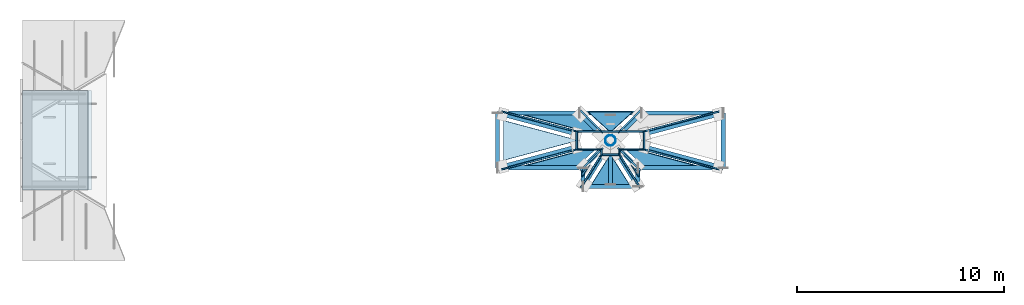
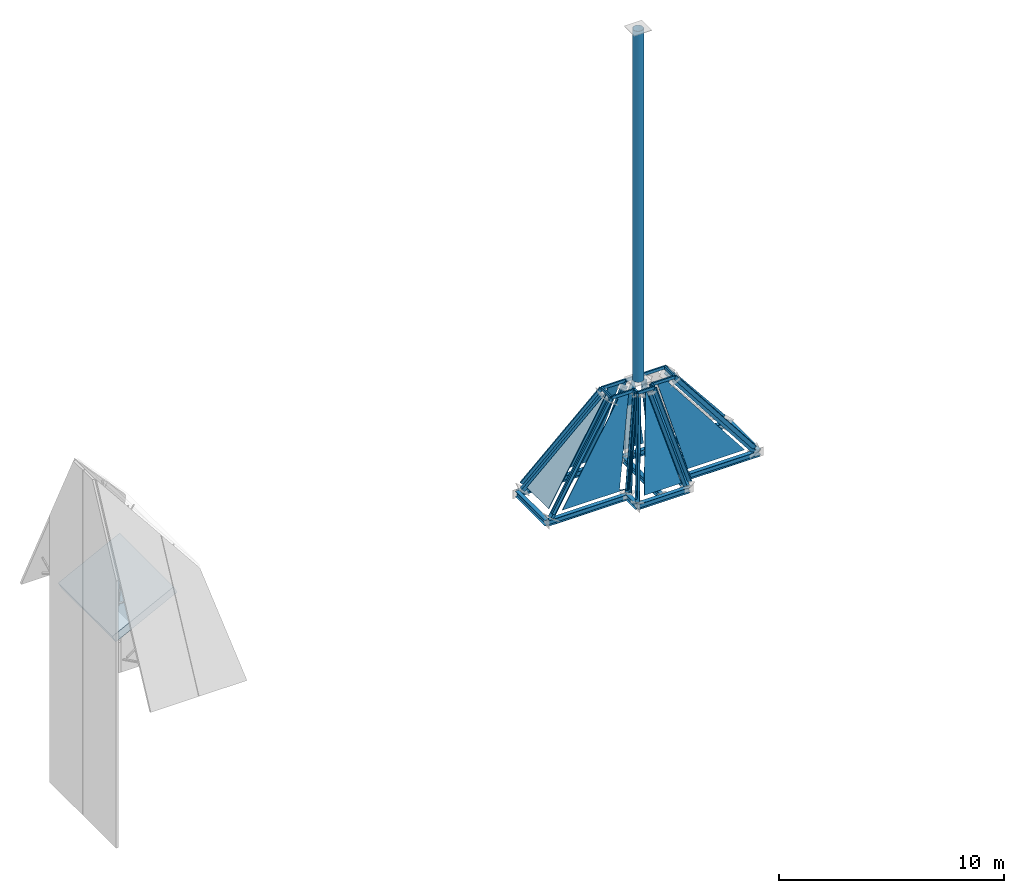
# One storey, part 1 of 4: 31 members, 11 beams, 8 plates, 1 slab, 10 elements without a shape of their own.
"""IFC4 building model written with IfcOpenShell, lengths in metres."""

from ifc_helpers import new_model, si_unit, direction, frame, origin, origin_2d, place, context, subcontext, project, spatial, polyline, rectangle, hollow_rectangle, hollow_circle, i_section, outline, extrude, material, layer, layer_set, material_profile, profile_set, type_object, element, aggregate, save


model = new_model("IFC4")

# Units and contexts
model_context = context("Model", 3, precision=1e-05, world=origin(), true_north=direction((0.0, 1.0)))
body_context = subcontext(model_context, "Body", "Model", "MODEL_VIEW")
ifc_project = project(units=[si_unit("LENGTHUNIT", "METRE"), si_unit("AREAUNIT", "SQUARE_METRE"), si_unit("VOLUMEUNIT", "CUBIC_METRE"), si_unit("PLANEANGLEUNIT", "RADIAN"), si_unit("MASSUNIT", "GRAM", prefix="KILO")], contexts=[model_context])

# Site, building, storey
site_placement = place(None, origin())
site = spatial("IfcSite", under=ifc_project, at=site_placement, CompositionType="ELEMENT")
building_placement = place(site_placement, origin())
building = spatial("IfcBuilding", under=site, at=building_placement, Name="Perihelion Cross Residences", CompositionType="ELEMENT")
storey_placement = place(building_placement, frame((0.0, 0.0, 321.300048828125)))
storey = spatial("IfcBuildingStorey", under=building, at=storey_placement, Name="L81", CompositionType="ELEMENT", Elevation=321.300048828125)

# Curtain wall, member
ifc_material_1 = material(Name="Bronze anodised aluminium, tinted glazing", Category="aluminium")
curtain_wall_type = type_object("IfcCurtainWallType", Name="CW6", PredefinedType="NOTDEFINED", material=ifc_material_1)
curtain_wall_1_placement = place(storey_placement, origin())
curtain_wall_1 = element("IfcCurtainWall", 1, at=curtain_wall_1_placement, inside=storey, type_object=curtain_wall_type, Name="Curtain wall CW6 L81 crown 1", PredefinedType="NOTDEFINED")
ifc_material_2 = material(Name="Bronze anodised aluminium", Category="aluminium")
ifc_material_profile_1 = material_profile(ifc_material_2, rectangle(XDim=0.080078125, YDim=0.199951171875, at=origin_2d()), Name="CW6 mullion")
ifc_profile_set_1 = profile_set([ifc_material_profile_1], Name="Bronze anodised aluminium")
member_type_1 = type_object("IfcMemberType", Name="CW6 mullion", PredefinedType="MULLION", material=ifc_profile_set_1)
member_1_placement = place(storey_placement, frame((5.17138671875, -1.376953125, 0.0), z_axis=(-0.611009975523, 0.162703419911, 0.774722148232), x_axis=(-0.257319233421, -0.966326452143, 0.0)))
member_1 = element("IfcMember", 2, at=member_1_placement, type_object=member_type_1, Name="Mullion CW6-M L81 crown 1", PredefinedType="MULLION", context=body_context, shape_type="SweptSolid", body=[
    extrude(rectangle(XDim=0.080078125, YDim=0.199951171875, at=origin_2d()), origin(), (0.0, 0.0, 1.0), 5.80859375),
])

curtain_wall_2_placement = place(storey_placement, origin())
curtain_wall_2 = element("IfcCurtainWall", 3, at=curtain_wall_2_placement, inside=storey, type_object=curtain_wall_type, Name="Curtain wall CW6 L81 crown 2", PredefinedType="NOTDEFINED")
member_2_placement = place(storey_placement, frame((5.17138671875, 1.376953125, 0.0), z_axis=(-0.611009975523, -0.162703419911, 0.774722148232), x_axis=(0.257319233421, -0.966326452143, 0.0)))
member_2 = element("IfcMember", 4, at=member_2_placement, type_object=member_type_1, Name="Mullion CW6-M L81 crown 2", PredefinedType="MULLION", context=body_context, shape_type="SweptSolid", body=[
    extrude(rectangle(XDim=0.080078125, YDim=0.199951171875, at=origin_2d()), origin(), (0.0, 0.0, 1.0), 5.80859375),
])

curtain_wall_3_placement = place(storey_placement, origin())
curtain_wall_3 = element("IfcCurtainWall", 5, at=curtain_wall_3_placement, inside=storey, type_object=curtain_wall_type, Name="Curtain wall CW6 L81 crown 3", PredefinedType="NOTDEFINED")
member_3_placement = place(storey_placement, frame((1.376953125, 1.376953125, 0.0), z_axis=(-0.20132318961, -0.20132318961, 0.958612511211), x_axis=(0.707106781187, -0.707106781187, 0.0)))
member_3 = element("IfcMember", 6, at=member_3_placement, type_object=member_type_1, Name="Mullion CW6-M L81 crown 3", PredefinedType="MULLION", context=body_context, shape_type="SweptSolid", body=[
    extrude(rectangle(XDim=0.080078125, YDim=0.199951171875, at=origin_2d()), origin(), (0.0, 0.0, 1.0), 4.6943359375),
])

curtain_wall_4_placement = place(storey_placement, origin())
curtain_wall_4 = element("IfcCurtainWall", 7, at=curtain_wall_4_placement, inside=storey, type_object=curtain_wall_type, Name="Curtain wall CW6 L81 crown 4", PredefinedType="NOTDEFINED")
member_4_placement = place(storey_placement, frame((-1.376953125, 1.376953125, 0.0), z_axis=(0.20132318961, -0.20132318961, 0.958612511211), x_axis=(0.707106781187, 0.707106781187, 0.0)))
member_4 = element("IfcMember", 8, at=member_4_placement, type_object=member_type_1, Name="Mullion CW6-M L81 crown 4", PredefinedType="MULLION", context=body_context, shape_type="SweptSolid", body=[
    extrude(rectangle(XDim=0.080078125, YDim=0.199951171875, at=origin_2d()), origin(), (0.0, 0.0, 1.0), 4.6943359375),
])

curtain_wall_5_placement = place(storey_placement, origin())
curtain_wall_5 = element("IfcCurtainWall", 9, at=curtain_wall_5_placement, inside=storey, type_object=curtain_wall_type, Name="Curtain wall CW6 L81 crown 5", PredefinedType="NOTDEFINED")
member_5_placement = place(storey_placement, frame((-5.17138671875, 1.376953125, 0.0), z_axis=(0.611009975523, -0.162703419911, 0.774722148232), x_axis=(0.257319233421, 0.966326452143, 0.0)))
member_5 = element("IfcMember", 10, at=member_5_placement, type_object=member_type_1, Name="Mullion CW6-M L81 crown 5", PredefinedType="MULLION", context=body_context, shape_type="SweptSolid", body=[
    extrude(rectangle(XDim=0.080078125, YDim=0.199951171875, at=origin_2d()), origin(), (0.0, 0.0, 1.0), 5.80859375),
])

curtain_wall_6_placement = place(storey_placement, origin())
curtain_wall_6 = element("IfcCurtainWall", 11, at=curtain_wall_6_placement, inside=storey, type_object=curtain_wall_type, Name="Curtain wall CW6 L81 crown 6", PredefinedType="NOTDEFINED")
member_6_placement = place(storey_placement, frame((-5.17138671875, -1.376953125, 0.0), z_axis=(0.611009975523, 0.162703419911, 0.774722148232), x_axis=(-0.257319233421, 0.966326452143, 0.0)))
member_6 = element("IfcMember", 12, at=member_6_placement, type_object=member_type_1, Name="Mullion CW6-M L81 crown 6", PredefinedType="MULLION", context=body_context, shape_type="SweptSolid", body=[
    extrude(rectangle(XDim=0.080078125, YDim=0.199951171875, at=origin_2d()), origin(), (0.0, 0.0, 1.0), 5.80859375),
])

curtain_wall_7_placement = place(storey_placement, origin())
curtain_wall_7 = element("IfcCurtainWall", 13, at=curtain_wall_7_placement, inside=storey, type_object=curtain_wall_type, Name="Curtain wall CW6 L81 crown 7", PredefinedType="NOTDEFINED")
member_7_placement = place(storey_placement, frame((-1.376953125, -1.376953125, 0.0), z_axis=(0.20132318961, 0.20132318961, 0.958612511211), x_axis=(-0.707106781187, 0.707106781187, 0.0)))
member_7 = element("IfcMember", 14, at=member_7_placement, type_object=member_type_1, Name="Mullion CW6-M L81 crown 7", PredefinedType="MULLION", context=body_context, shape_type="SweptSolid", body=[
    extrude(rectangle(XDim=0.080078125, YDim=0.199951171875, at=origin_2d()), origin(), (0.0, 0.0, 1.0), 4.6943359375),
])

curtain_wall_8_placement = place(storey_placement, origin())
curtain_wall_8 = element("IfcCurtainWall", 15, at=curtain_wall_8_placement, inside=storey, type_object=curtain_wall_type, Name="Curtain wall CW6 L81 crown 8", PredefinedType="NOTDEFINED")
member_8_placement = place(storey_placement, frame((-1.376953125, -2.203125, 0.0), z_axis=(0.195247114098, 0.312365119506, 0.929680911148), x_axis=(-0.847975225989, 0.53003586304, 0.0)))
member_8 = element("IfcMember", 16, at=member_8_placement, type_object=member_type_1, Name="Mullion CW6-M L81 crown 8", PredefinedType="MULLION", context=body_context, shape_type="SweptSolid", body=[
    extrude(rectangle(XDim=0.080078125, YDim=0.199951171875, at=origin_2d()), origin(), (0.0, 0.0, 1.0), 4.84033203125),
])

curtain_wall_9_placement = place(storey_placement, origin())
curtain_wall_9 = element("IfcCurtainWall", 17, at=curtain_wall_9_placement, inside=storey, type_object=curtain_wall_type, Name="Curtain wall CW6 L81 crown 9", PredefinedType="NOTDEFINED")
member_9_placement = place(storey_placement, frame((1.376953125, -2.203125, 0.0), z_axis=(-0.195247114098, 0.312365119506, 0.929680911148), x_axis=(-0.847975225989, -0.53003586304, 0.0)))
member_9 = element("IfcMember", 18, at=member_9_placement, type_object=member_type_1, Name="Mullion CW6-M L81 crown 9", PredefinedType="MULLION", context=body_context, shape_type="SweptSolid", body=[
    extrude(rectangle(XDim=0.080078125, YDim=0.199951171875, at=origin_2d()), origin(), (0.0, 0.0, 1.0), 4.84033203125),
])

curtain_wall_10_placement = place(storey_placement, origin())
curtain_wall_10 = element("IfcCurtainWall", 19, at=curtain_wall_10_placement, inside=storey, type_object=curtain_wall_type, Name="Curtain wall CW6 L81 crown 10", PredefinedType="NOTDEFINED")
member_10_placement = place(storey_placement, frame((1.376953125, -1.376953125, 0.0), z_axis=(-0.20132318961, 0.20132318961, 0.958612511211), x_axis=(-0.707106781187, -0.707106781187, 0.0)))
member_10 = element("IfcMember", 20, at=member_10_placement, type_object=member_type_1, Name="Mullion CW6-M L81 crown 10", PredefinedType="MULLION", context=body_context, shape_type="SweptSolid", body=[
    extrude(rectangle(XDim=0.080078125, YDim=0.199951171875, at=origin_2d()), origin(), (0.0, 0.0, 1.0), 4.6943359375),
])

# Member
ifc_material_3 = material(Name="Bronze anodised aluminium", Category="aluminium")
ifc_material_profile_2 = material_profile(ifc_material_3, rectangle(XDim=0.080078125, YDim=0.159912109375, at=origin_2d()), Name="CW6 transom")
ifc_profile_set_2 = profile_set([ifc_material_profile_2], Name="Bronze anodised aluminium")
member_type_2 = type_object("IfcMemberType", Name="CW6 transom", PredefinedType="USERDEFINED", material=ifc_profile_set_2)
member_11_placement = place(storey_placement, frame((1.622314453125, -0.431884765625, 4.5), z_axis=(0.0, 1.0, 0.0), x_axis=(-1.0, 0.0, 0.0)))
member_11 = element("IfcMember", 21, at=member_11_placement, type_object=member_type_2, Name="Transom CW6-T L81 crown 1 top", ObjectType="TRANSOM", PredefinedType="USERDEFINED", context=body_context, shape_type="SweptSolid", body=[
    extrude(rectangle(XDim=0.080078125, YDim=0.159912109375, at=origin_2d()), origin(), (0.0, 0.0, 1.0), 0.86376953125),
])

aggregate(curtain_wall_1, [member_1, member_11])

member_12_placement = place(storey_placement, frame((1.622314453125, 0.431884765625, 4.5), z_axis=(-1.0, 0.0, 0.0), x_axis=(0.0, -1.0, 0.0)))
member_12 = element("IfcMember", 22, at=member_12_placement, type_object=member_type_2, Name="Transom CW6-T L81 crown 2 top", ObjectType="TRANSOM", PredefinedType="USERDEFINED", context=body_context, shape_type="SweptSolid", body=[
    extrude(rectangle(XDim=0.080078125, YDim=0.159912109375, at=origin_2d()), origin(), (0.0, 0.0, 1.0), 1.1904296875),
])

aggregate(curtain_wall_2, [member_2, member_12])

member_13_placement = place(storey_placement, frame((0.431884765625, 0.431884765625, 4.5), z_axis=(-1.0, 0.0, 0.0), x_axis=(0.0, -1.0, 0.0)))
member_13 = element("IfcMember", 23, at=member_13_placement, type_object=member_type_2, Name="Transom CW6-T L81 crown 3 top", ObjectType="TRANSOM", PredefinedType="USERDEFINED", context=body_context, shape_type="SweptSolid", body=[
    extrude(rectangle(XDim=0.080078125, YDim=0.159912109375, at=origin_2d()), origin(), (0.0, 0.0, 1.0), 0.86376953125),
])

member_14_placement = place(storey_placement, frame((-0.431884765625, 0.431884765625, 4.5), z_axis=(-1.0, 0.0, 0.0), x_axis=(0.0, -1.0, 0.0)))
member_14 = element("IfcMember", 24, at=member_14_placement, type_object=member_type_2, Name="Transom CW6-T L81 crown 4 top", ObjectType="TRANSOM", PredefinedType="USERDEFINED", context=body_context, shape_type="SweptSolid", body=[
    extrude(rectangle(XDim=0.080078125, YDim=0.159912109375, at=origin_2d()), origin(), (0.0, 0.0, 1.0), 1.1904296875),
])

member_15_placement = place(storey_placement, frame((-1.622314453125, 0.431884765625, 4.5), z_axis=(0.0, -1.0, 0.0), x_axis=(1.0, 0.0, 0.0)))
member_15 = element("IfcMember", 25, at=member_15_placement, type_object=member_type_2, Name="Transom CW6-T L81 crown 5 top", ObjectType="TRANSOM", PredefinedType="USERDEFINED", context=body_context, shape_type="SweptSolid", body=[
    extrude(rectangle(XDim=0.080078125, YDim=0.159912109375, at=origin_2d()), origin(), (0.0, 0.0, 1.0), 0.86376953125),
])

member_16_placement = place(storey_placement, frame((-1.622314453125, -0.431884765625, 4.5), z_axis=(1.0, 0.0, 0.0), x_axis=(0.0, 1.0, 0.0)))
member_16 = element("IfcMember", 26, at=member_16_placement, type_object=member_type_2, Name="Transom CW6-T L81 crown 6 top", ObjectType="TRANSOM", PredefinedType="USERDEFINED", context=body_context, shape_type="SweptSolid", body=[
    extrude(rectangle(XDim=0.080078125, YDim=0.159912109375, at=origin_2d()), origin(), (0.0, 0.0, 1.0), 1.1904296875),
])

member_17_placement = place(storey_placement, frame((-0.431884765625, -0.431884765625, 4.5), z_axis=(0.0, -1.0, 0.0), x_axis=(1.0, 0.0, 0.0)))
member_17 = element("IfcMember", 27, at=member_17_placement, type_object=member_type_2, Name="Transom CW6-T L81 crown 7 top", ObjectType="TRANSOM", PredefinedType="USERDEFINED", context=body_context, shape_type="SweptSolid", body=[
    extrude(rectangle(XDim=0.080078125, YDim=0.159912109375, at=origin_2d()), origin(), (0.0, 0.0, 1.0), 0.25927734375),
])

member_18_placement = place(storey_placement, frame((-0.431884765625, -0.691162109375, 4.5), z_axis=(1.0, 0.0, 0.0), x_axis=(0.0, 1.0, 0.0)))
member_18 = element("IfcMember", 28, at=member_18_placement, type_object=member_type_2, Name="Transom CW6-T L81 crown 8 top", ObjectType="TRANSOM", PredefinedType="USERDEFINED", context=body_context, shape_type="SweptSolid", body=[
    extrude(rectangle(XDim=0.080078125, YDim=0.159912109375, at=origin_2d()), origin(), (0.0, 0.0, 1.0), 0.86376953125),
])

member_19_placement = place(storey_placement, frame((0.431884765625, -0.691162109375, 4.5), z_axis=(0.0, 1.0, 0.0), x_axis=(-1.0, 0.0, 0.0)))
member_19 = element("IfcMember", 29, at=member_19_placement, type_object=member_type_2, Name="Transom CW6-T L81 crown 9 top", ObjectType="TRANSOM", PredefinedType="USERDEFINED", context=body_context, shape_type="SweptSolid", body=[
    extrude(rectangle(XDim=0.080078125, YDim=0.159912109375, at=origin_2d()), origin(), (0.0, 0.0, 1.0), 0.25927734375),
])

member_20_placement = place(storey_placement, frame((0.431884765625, -0.431884765625, 4.5), z_axis=(1.0, 0.0, 0.0), x_axis=(0.0, 1.0, 0.0)))
member_20 = element("IfcMember", 30, at=member_20_placement, type_object=member_type_2, Name="Transom CW6-T L81 crown 10 top", ObjectType="TRANSOM", PredefinedType="USERDEFINED", context=body_context, shape_type="SweptSolid", body=[
    extrude(rectangle(XDim=0.080078125, YDim=0.159912109375, at=origin_2d()), origin(), (0.0, 0.0, 1.0), 1.1904296875),
])

# Members
ifc_material_4 = material(Name="Steel S355", Category="steel")
ifc_material_profile_3 = material_profile(ifc_material_4, hollow_rectangle(XDim=0.202880859375, YDim=0.202880859375, WallThickness=0.009521484375, at=origin_2d()), Name="HSS203.2x203.2x9.5")
ifc_profile_set_3 = profile_set([ifc_material_profile_3], Name="Steel S355")
member_type_3 = type_object("IfcMemberType", Name="Crown leg HSS203.2x203.2x9.5", PredefinedType="BRACE", material=ifc_profile_set_3)
for number, where, z_axis, x_axis, name in (
    (31, (5.199462890625, -1.25830078125, -0.25), (-0.611313366726, 0.162775997161, 0.774467521857), (-0.25730711246, -0.966329679704, 0.0), "Crown leg CR6 L81 1 no. 1"),
    (32, (5.199462890625, 1.25830078125, -0.25), (-0.611313366726, -0.162775997161, 0.774467521857), (0.25730711246, -0.966329679704, 0.0), "Crown leg CR6 L81 2 no. 1"),
):
    element("IfcMember", number, at=place(storey_placement, frame(where, z_axis=z_axis, x_axis=x_axis)), inside=storey, type_object=member_type_3, Name=name, PredefinedType="BRACE", context=body_context, shape_type="SweptSolid", body=[
        extrude(hollow_rectangle(XDim=0.202880859375, YDim=0.202880859375, WallThickness=0.009521484375, at=origin_2d()), origin(), (0.0, 0.0, 1.0), 5.810546875),
    ])
for number, where, z_axis, x_axis, name in (
    (33, (1.43017578125, 1.25830078125, -0.25), (-0.201416657867, -0.201468663201, 0.958562312884), (0.707198050212, -0.707015500379, 0.0), "Crown leg CR6 L81 3 no. 1"),
    (34, (-1.43017578125, 1.25830078125, -0.25), (0.201416657867, -0.201468663201, 0.958562312884), (0.707198050212, 0.707015500379, 0.0), "Crown leg CR6 L81 4 no. 1"),
):
    element("IfcMember", number, at=place(storey_placement, frame(where, z_axis=z_axis, x_axis=x_axis)), inside=storey, type_object=member_type_3, Name=name, PredefinedType="BRACE", context=body_context, shape_type="SweptSolid", body=[
        extrude(hollow_rectangle(XDim=0.202880859375, YDim=0.202880859375, WallThickness=0.009521484375, at=origin_2d()), origin(), (0.0, 0.0, 1.0), 4.694580078125),
    ])
for number, where, z_axis, x_axis, name in (
    (35, (-5.199462890625, 1.25830078125, -0.25), (0.611313366726, -0.162775997161, 0.774467521857), (0.25730711246, 0.966329679704, 0.0), "Crown leg CR6 L81 5 no. 1"),
    (36, (-5.199462890625, -1.25830078125, -0.25), (0.611313366726, 0.162775997161, 0.774467521857), (-0.25730711246, 0.966329679704, 0.0), "Crown leg CR6 L81 6 no. 1"),
):
    element("IfcMember", number, at=place(storey_placement, frame(where, z_axis=z_axis, x_axis=x_axis)), inside=storey, type_object=member_type_3, Name=name, PredefinedType="BRACE", context=body_context, shape_type="SweptSolid", body=[
        extrude(hollow_rectangle(XDim=0.202880859375, YDim=0.202880859375, WallThickness=0.009521484375, at=origin_2d()), origin(), (0.0, 0.0, 1.0), 5.810546875),
    ])
member_21_placement = place(storey_placement, frame((-1.25830078125, -1.25830078125, -0.25), z_axis=(0.201466552629, 0.201466552629, 0.958552271054), x_axis=(-0.707106781187, 0.707106781187, 0.0)))
element("IfcMember", 37, at=member_21_placement, inside=storey, type_object=member_type_3, Name="Crown leg CR6 L81 7 no. 1", PredefinedType="BRACE", context=body_context, shape_type="SweptSolid", body=[
    extrude(hollow_rectangle(XDim=0.202880859375, YDim=0.202880859375, WallThickness=0.009521484375, at=origin_2d()), origin(), (0.0, 0.0, 1.0), 4.694580078125),
])
for number, where, z_axis, x_axis, name in (
    (38, (-1.25830078125, -2.116455078125, -0.25), (0.195377258807, 0.31258344091, 0.92958018439), (-0.847982931112, 0.530023535839, 0.0), "Crown leg CR6 L81 8 no. 1"),
    (39, (1.25830078125, -2.116455078125, -0.25), (-0.195377258807, 0.31258344091, 0.92958018439), (-0.847982931112, -0.530023535839, 0.0), "Crown leg CR6 L81 9 no. 1"),
):
    element("IfcMember", number, at=place(storey_placement, frame(where, z_axis=z_axis, x_axis=x_axis)), inside=storey, type_object=member_type_3, Name=name, PredefinedType="BRACE", context=body_context, shape_type="SweptSolid", body=[
        extrude(hollow_rectangle(XDim=0.202880859375, YDim=0.202880859375, WallThickness=0.009521484375, at=origin_2d()), origin(), (0.0, 0.0, 1.0), 4.8408203125),
    ])
member_22_placement = place(storey_placement, frame((1.25830078125, -1.25830078125, -0.25), z_axis=(-0.201466552629, 0.201466552629, 0.958552271054), x_axis=(-0.707106781187, -0.707106781187, 0.0)))
element("IfcMember", 40, at=member_22_placement, inside=storey, type_object=member_type_3, Name="Crown leg CR6 L81 10 no. 1", PredefinedType="BRACE", context=body_context, shape_type="SweptSolid", body=[
    extrude(hollow_rectangle(XDim=0.202880859375, YDim=0.202880859375, WallThickness=0.009521484375, at=origin_2d()), origin(), (0.0, 0.0, 1.0), 4.694580078125),
])

# Beams
ifc_material_5 = material(Name="Steel S355", Category="steel")
ifc_material_profile_4 = material_profile(ifc_material_5, i_section(OverallWidth=0.202880859375, OverallDepth=0.302001953125, WebThickness=0.007568359375, FlangeThickness=0.01318359375, at=origin_2d()), Name="W310x60")
ifc_profile_set_4 = profile_set([ifc_material_profile_4], Name="Steel S355")
beam_type = type_object("IfcBeamType", Name="Crown ring beam W310x60", PredefinedType="BEAM", material=ifc_profile_set_4)
beam_1_placement = place(storey_placement, frame((5.43896484375, -1.321533203125, -0.401123046875), z_axis=(0.0, 1.0, 0.0), x_axis=(-1.0, 0.0, 0.0)))
element("IfcBeam", 41, at=beam_1_placement, inside=storey, type_object=beam_type, Name="Crown ring beam CB2 L81 no. 1", PredefinedType="BEAM", context=body_context, shape_type="SweptSolid", body=[
    extrude(i_section(OverallWidth=0.202880859375, OverallDepth=0.302001953125, WebThickness=0.007568359375, FlangeThickness=0.01318359375, at=origin_2d()), origin(), (0.0, 0.0, 1.0), 2.64306640625),
])
beam_2_placement = place(storey_placement, frame((5.43896484375, 1.321533203125, -0.401123046875), z_axis=(-1.0, 0.0, 0.0), x_axis=(0.0, -1.0, 0.0)))
element("IfcBeam", 42, at=beam_2_placement, inside=storey, type_object=beam_type, Name="Crown ring beam CB2 L81 no. 2", PredefinedType="BEAM", context=body_context, shape_type="SweptSolid", body=[
    extrude(i_section(OverallWidth=0.202880859375, OverallDepth=0.302001953125, WebThickness=0.007568359375, FlangeThickness=0.01318359375, at=origin_2d()), origin(), (0.0, 0.0, 1.0), 3.944580078125),
])
beam_3_placement = place(storey_placement, frame((1.494384765625, 1.321533203125, -0.401123046875), z_axis=(-1.0, 0.0, 0.0), x_axis=(0.0, -1.0, 0.0)))
element("IfcBeam", 43, at=beam_3_placement, inside=storey, type_object=beam_type, Name="Crown ring beam CB2 L81 no. 3", PredefinedType="BEAM", context=body_context, shape_type="SweptSolid", body=[
    extrude(i_section(OverallWidth=0.202880859375, OverallDepth=0.302001953125, WebThickness=0.007568359375, FlangeThickness=0.01318359375, at=origin_2d()), origin(), (0.0, 0.0, 1.0), 2.98876953125),
])
beam_4_placement = place(storey_placement, frame((-1.494384765625, 1.321533203125, -0.401123046875), z_axis=(-1.0, 0.0, 0.0), x_axis=(0.0, -1.0, 0.0)))
element("IfcBeam", 44, at=beam_4_placement, inside=storey, type_object=beam_type, Name="Crown ring beam CB2 L81 no. 4", PredefinedType="BEAM", context=body_context, shape_type="SweptSolid", body=[
    extrude(i_section(OverallWidth=0.202880859375, OverallDepth=0.302001953125, WebThickness=0.007568359375, FlangeThickness=0.01318359375, at=origin_2d()), origin(), (0.0, 0.0, 1.0), 3.944580078125),
])
beam_5_placement = place(storey_placement, frame((-5.43896484375, 1.321533203125, -0.401123046875), z_axis=(0.0, -1.0, 0.0), x_axis=(1.0, 0.0, 0.0)))
element("IfcBeam", 45, at=beam_5_placement, inside=storey, type_object=beam_type, Name="Crown ring beam CB2 L81 no. 5", PredefinedType="BEAM", context=body_context, shape_type="SweptSolid", body=[
    extrude(i_section(OverallWidth=0.202880859375, OverallDepth=0.302001953125, WebThickness=0.007568359375, FlangeThickness=0.01318359375, at=origin_2d()), origin(), (0.0, 0.0, 1.0), 2.64306640625),
])
beam_6_placement = place(storey_placement, frame((-5.43896484375, -1.321533203125, -0.401123046875), z_axis=(1.0, 0.0, 0.0), x_axis=(0.0, 1.0, 0.0)))
element("IfcBeam", 46, at=beam_6_placement, inside=storey, type_object=beam_type, Name="Crown ring beam CB2 L81 no. 6", PredefinedType="BEAM", context=body_context, shape_type="SweptSolid", body=[
    extrude(i_section(OverallWidth=0.202880859375, OverallDepth=0.302001953125, WebThickness=0.007568359375, FlangeThickness=0.01318359375, at=origin_2d()), origin(), (0.0, 0.0, 1.0), 4.117431640625),
])
beam_7_placement = place(storey_placement, frame((-1.321533203125, -1.321533203125, -0.401123046875), z_axis=(0.0, -1.0, 0.0), x_axis=(1.0, 0.0, 0.0)))
element("IfcBeam", 47, at=beam_7_placement, inside=storey, type_object=beam_type, Name="Crown ring beam CB2 L81 no. 7", PredefinedType="BEAM", context=body_context, shape_type="SweptSolid", body=[
    extrude(i_section(OverallWidth=0.202880859375, OverallDepth=0.302001953125, WebThickness=0.007568359375, FlangeThickness=0.01318359375, at=origin_2d()), origin(), (0.0, 0.0, 1.0), 0.896484375),
])
beam_8_placement = place(storey_placement, frame((-1.321533203125, -2.218017578125, -0.401123046875), z_axis=(1.0, 0.0, 0.0), x_axis=(0.0, 1.0, 0.0)))
element("IfcBeam", 48, at=beam_8_placement, inside=storey, type_object=beam_type, Name="Crown ring beam CB2 L81 no. 8", PredefinedType="BEAM", context=body_context, shape_type="SweptSolid", body=[
    extrude(i_section(OverallWidth=0.202880859375, OverallDepth=0.302001953125, WebThickness=0.007568359375, FlangeThickness=0.01318359375, at=origin_2d()), origin(), (0.0, 0.0, 1.0), 2.64306640625),
])
beam_9_placement = place(storey_placement, frame((1.321533203125, -2.218017578125, -0.401123046875), z_axis=(0.0, 1.0, 0.0), x_axis=(-1.0, 0.0, 0.0)))
element("IfcBeam", 49, at=beam_9_placement, inside=storey, type_object=beam_type, Name="Crown ring beam CB2 L81 no. 9", PredefinedType="BEAM", context=body_context, shape_type="SweptSolid", body=[
    extrude(i_section(OverallWidth=0.202880859375, OverallDepth=0.302001953125, WebThickness=0.007568359375, FlangeThickness=0.01318359375, at=origin_2d()), origin(), (0.0, 0.0, 1.0), 0.896484375),
])
beam_10_placement = place(storey_placement, frame((1.321533203125, -1.321533203125, -0.401123046875), z_axis=(1.0, 0.0, 0.0), x_axis=(0.0, 1.0, 0.0)))
element("IfcBeam", 50, at=beam_10_placement, inside=storey, type_object=beam_type, Name="Crown ring beam CB2 L81 no. 10", PredefinedType="BEAM", context=body_context, shape_type="SweptSolid", body=[
    extrude(i_section(OverallWidth=0.202880859375, OverallDepth=0.302001953125, WebThickness=0.007568359375, FlangeThickness=0.01318359375, at=origin_2d()), origin(), (0.0, 0.0, 1.0), 4.117431640625),
])
beam_11_placement = place(storey_placement, frame((0.0, -2.116455078125, -0.401123046875), z_axis=(0.0, 1.0, 0.0), x_axis=(-1.0, 0.0, 0.0)))
element("IfcBeam", 51, at=beam_11_placement, inside=storey, type_object=beam_type, Name="Crown ring beam CB2 L81 mast", PredefinedType="BEAM", context=body_context, shape_type="SweptSolid", body=[
    extrude(i_section(OverallWidth=0.202880859375, OverallDepth=0.302001953125, WebThickness=0.007568359375, FlangeThickness=0.01318359375, at=origin_2d()), origin(), (0.0, 0.0, 1.0), 3.33642578125),
])

# Member
ifc_material_6 = material(Name="Steel S355", Category="steel")
ifc_material_profile_5 = material_profile(ifc_material_6, hollow_circle(Radius=0.25390625, WallThickness=0.0126953125, at=origin_2d()), Name="HSS508x12.7")
ifc_profile_set_5 = profile_set([ifc_material_profile_5], Name="Steel S355")
member_type_4 = type_object("IfcMemberType", Name="Spire mast HSS508x12.7", PredefinedType="USERDEFINED", material=ifc_profile_set_5)
member_23_placement = place(storey_placement, frame((0.0, 0.0, 4.669921875), z_axis=(0.0, 0.0, 1.0), x_axis=(1.0, 0.0, 0.0)))
element("IfcMember", 52, at=member_23_placement, inside=storey, type_object=member_type_4, Name="Spire CR1 L81 mast", ObjectType="SPIRE", PredefinedType="USERDEFINED", context=body_context, shape_type="SweptSolid", body=[
    extrude(hollow_circle(Radius=0.25390625, WallThickness=0.0126953125, at=origin_2d()), origin(), (0.0, 0.0, 1.0), 19.030029296875),
])

# Plate
ifc_material_7 = material(Name="Bronze anodised aluminium", Category="aluminium")
ifc_layer_1 = layer(ifc_material_7, 0.033935546875)
ifc_layer_set_1 = layer_set([ifc_layer_1], Name="CW6 metal panel")
plate_type_1 = type_object("IfcPlateType", Name="CW6 metal panel", PredefinedType="CURTAIN_PANEL", material=ifc_layer_set_1)
plate_1_placement = place(storey_placement, frame((-1.64404296875, -0.026123046875, 4.472412109375), z_axis=(-0.785196175339, 0.0, 0.619247096265), x_axis=(-0.61099010279, -0.162757653261, -0.774726429521)))
plate_1 = element("IfcPlate", 53, at=plate_1_placement, type_object=plate_type_1, Name="Curtain wall panel CW6-PM L81 crown 5", PredefinedType="CURTAIN_PANEL", context=body_context, shape_type="SweptSolid", body=[
    extrude(outline(polyline([(0.0, 0.0), (5.7375974150305975, 0.0), (5.425115436211728, -1.8943217833876482), (-0.008503451610788176, -0.05154944832718168), (0.0, 0.0)])), origin(), (0.0, 0.0, -1.0), 0.033935546875),
])

aggregate(curtain_wall_5, [member_5, member_15, plate_1])

plate_2_placement = place(storey_placement, frame((-1.369873046875, -1.46484375, 0.0341796875), z_axis=(-0.978640266671, -2.2865621e-05, 0.205580222607), x_axis=(0.201336765104, 0.202023766071, 0.958462260582)))
plate_2 = element("IfcPlate", 54, at=plate_2_placement, type_object=plate_type_1, Name="Curtain wall panel CW6-PM L81 crown 7", PredefinedType="CURTAIN_PANEL", context=body_context, shape_type="SweptSolid", body=[
    extrude(outline(polyline([(0.0, 0.0), (0.04713051243249365, 1.734723475976807e-18), (0.04912240063491282, -0.10884795713521722), (1.823600290610112, -0.0775287236135051), (-0.060715638680001446, -0.2943402202960654), (0.0, 0.0)])), origin(), (0.0, 0.0, -1.0), 0.033935546875),
])

aggregate(curtain_wall_7, [member_7, member_17, plate_2])

plate_3_placement = place(storey_placement, frame((0.01904296875, -0.702392578125, 4.466796875), z_axis=(0.0, -0.947918450111, 0.318513126794), x_axis=(0.195399728506, -0.312373367394, -0.929646075366)))
plate_3 = element("IfcPlate", 55, at=plate_3_placement, type_object=plate_type_1, Name="Curtain wall panel CW6-PM L81 crown 8", PredefinedType="CURTAIN_PANEL", context=body_context, shape_type="SweptSolid", body=[
    extrude(outline(polyline([(0.0, 0.0), (4.769120063521824, 0.0), (4.397498021270295, -1.8651947034363694), (-0.0074419818473990245, -0.03735178096740355), (0.0, 0.0)])), origin(), (0.0, 0.0, -1.0), 0.033935546875),
])

aggregate(curtain_wall_8, [member_8, member_18, plate_3])

plate_4_placement = place(storey_placement, frame((1.369873046875, -1.765380859375, 0.0341796875), z_axis=(0.978640266671, -2.2865621e-05, 0.205580222607), x_axis=(-0.195267187619, 0.312649605983, 0.929581061187)))
plate_4 = element("IfcPlate", 56, at=plate_4_placement, type_object=plate_type_1, Name="Curtain wall panel CW6-PM L81 crown 9", PredefinedType="CURTAIN_PANEL", context=body_context, shape_type="SweptSolid", body=[
    extrude(outline(polyline([(0.0, 0.0), (1.8967482032336804, 0.0), (0.13032115802224487, -0.1717211994624399), (0.14078440337779985, -0.28008339715033514), (0.09396280882943155, -0.28547074214556645), (0.0, 0.0)])), origin(), (0.0, 0.0, -1.0), 0.033935546875),
])

aggregate(curtain_wall_9, [member_9, member_19, plate_4])

ifc_material_8 = material(Name="Tinted laminated glass", Category="glass")
ifc_layer_2 = layer(ifc_material_8, 0.033935546875)
ifc_layer_set_2 = layer_set([ifc_layer_2], Name="CW6 panel")
plate_type_2 = type_object("IfcPlateType", Name="CW6 panel", PredefinedType="CURTAIN_PANEL", material=ifc_layer_set_2)
plate_5_placement = place(storey_placement, frame((-0.039794921875, 0.439208984375, 4.465576171875), z_axis=(0.0, 0.978650351621, 0.205532209817), x_axis=(-0.219208326617, 0.200533271194, -0.954847692926)))
plate_5 = element("IfcPlate", 57, at=plate_5_placement, type_object=plate_type_2, Name="Curtain wall panel CW6-P L81 crown 3", PredefinedType="CURTAIN_PANEL", context=body_context, shape_type="SweptSolid", body=[
    extrude(outline(polyline([(0.0, 0.0), (4.640945898706904, -1.1102230246251565e-16), (4.177482981592119, -2.0628349963525294), (-0.01744675646413623, -0.0776540656825548), (0.0, 0.0)])), origin(), (0.0, 0.0, -1.0), 0.033935546875),
])

aggregate(curtain_wall_3, [member_3, member_13, plate_5])

plate_6_placement = place(storey_placement, frame((-1.3212890625, 0.439208984375, 4.465576171875), z_axis=(-1.3333313e-05, 0.978648409427, 0.205541457006), x_axis=(0.766412141, 0.132039380757, -0.628631873243)))
plate_6 = element("IfcPlate", 58, at=plate_6_placement, type_object=plate_type_2, Name="Curtain wall panel CW6-P L81 crown 4", PredefinedType="CURTAIN_PANEL", context=body_context, shape_type="SweptSolid", body=[
    extrude(outline(polyline([(0.0, 0.0), (0.040774406033978874, 0.0), (0.04059018805212832, 0.09061804431347464), (0.11205104049781986, 0.08770349098588856), (0.33318714403027183, 5.62888615532462), (2.666852237427506, 3.672983178419957), (0.4718973192389212, -0.39550892461141446), (0.0, 0.0)])), origin(), (0.0, 0.0, -1.0), 0.033935546875),
])

aggregate(curtain_wall_4, [member_4, member_14, plate_6])

plate_7_placement = place(storey_placement, frame((-0.73193359375, -0.439208984375, 4.465576171875), z_axis=(-1.462669e-05, -0.978648102176, 0.205542919835), x_axis=(-0.219183385205, -0.200541734992, -0.954851640924)))
plate_7 = element("IfcPlate", 59, at=plate_7_placement, type_object=plate_type_2, Name="Curtain wall panel CW6-P L81 crown 6", PredefinedType="CURTAIN_PANEL", context=body_context, shape_type="SweptSolid", body=[
    extrude(outline(polyline([(0.0, 0.0), (4.569072802944136, 0.0), (4.56915977512742, 0.2772690370664672), (4.578604919579516, 0.27738904987166546), (5.283673348159798, -2.8611871629699617), (0.2585102785414294, -0.5156930530210164), (0.22831776487226974, -0.5805279216313838), (0.14788197242338535, -0.538793676946528), (0.12917692672987274, -0.5750245125834614), (0.0, 0.0)])), origin(), (0.0, 0.0, -1.0), 0.033935546875),
])

aggregate(curtain_wall_6, [member_6, member_16, plate_7])

plate_8_placement = place(storey_placement, frame((1.3212890625, -0.439208984375, 4.465576171875), z_axis=(1.462669e-05, -0.978648102176, 0.205542919835), x_axis=(-0.766412141038, -0.132041290486, -0.62863147207)))
plate_8 = element("IfcPlate", 60, at=plate_8_placement, type_object=plate_type_2, Name="Curtain wall panel CW6-P L81 crown 10", PredefinedType="CURTAIN_PANEL", context=body_context, shape_type="SweptSolid", body=[
    extrude(outline(polyline([(0.0, 0.0), (0.040774406033978874, 0.0), (0.04059018805212832, 0.09061804431347464), (0.11205104049781986, 0.08770349098588856), (0.33318714346468337, 5.628886155358446), (2.798579323716779, 3.5625794186061843), (2.794139773506287, 3.554241819987703), (2.5477274597197614, 3.6813602611923417), (0.451689186636958, -0.3785719841013933), (0.0, 0.0)])), origin(), (0.0, 0.0, -1.0), 0.033935546875),
])

aggregate(curtain_wall_10, [member_10, member_20, plate_8])

# Slab
ifc_material_9 = material(Name="Concrete C50/60", Category="concrete")
ifc_layer_3 = layer(ifc_material_9, 0.39990234375)
ifc_layer_set_3 = layer_set([ifc_layer_3], Name="Stack roof slab 400")
slab_type = type_object("IfcSlabType", Name="Stack roof slab 400", PredefinedType="ROOF", material=ifc_layer_set_3)
slab_placement = place(storey_placement, frame((-25.199951171875, 2.39990234375, 3.699951171875), z_axis=(-0.452870687961, 0.0, 0.89157621098), x_axis=(-0.89157621098, 0.0, -0.452870687961)))
element("IfcSlab", 61, at=slab_placement, inside=storey, type_object=slab_type, Name="West core stack cap", PredefinedType="ROOF", context=body_context, shape_type="SweptSolid", body=[
    extrude(outline(polyline([(0.0, 0.0), (3.5332329929622412, 0.0), (3.5332329929622412, 4.7998046875), (0.0, 4.7998046875), (0.0, 0.0)])), origin(), (0.0, 0.0, -1.0), 0.39990234375),
])

save(model, "model.ifc")
